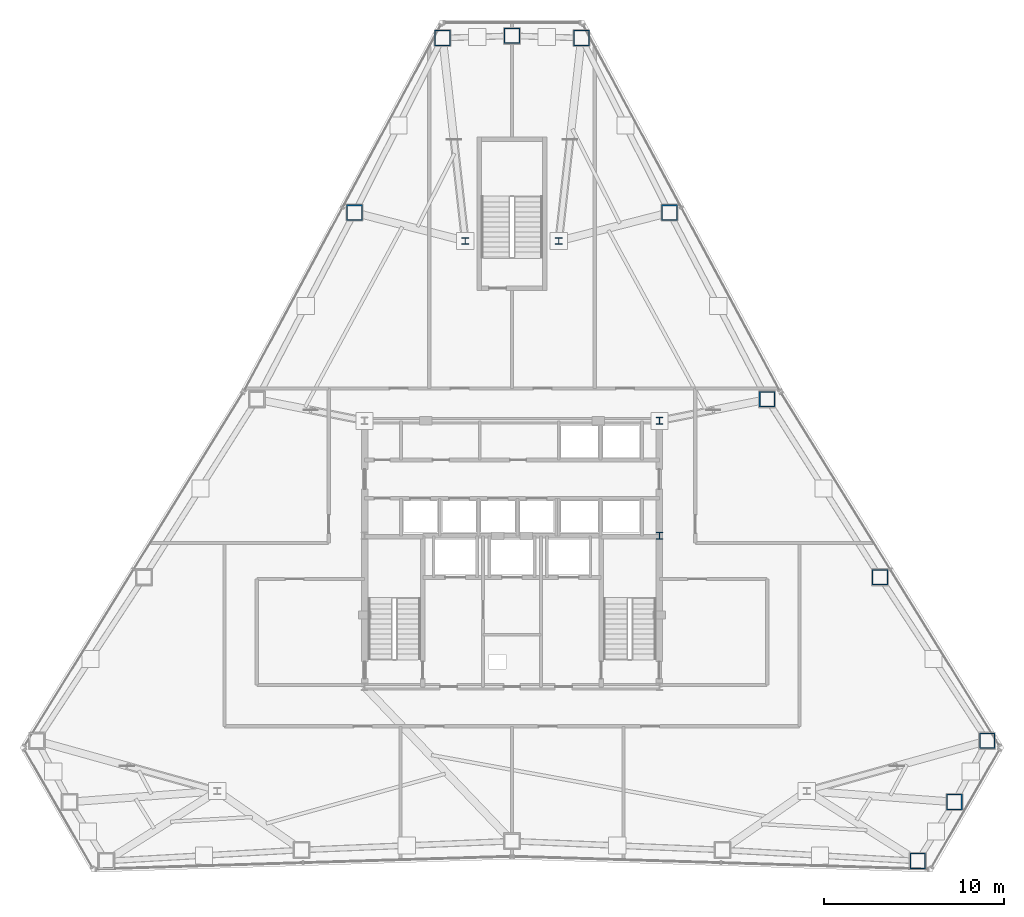
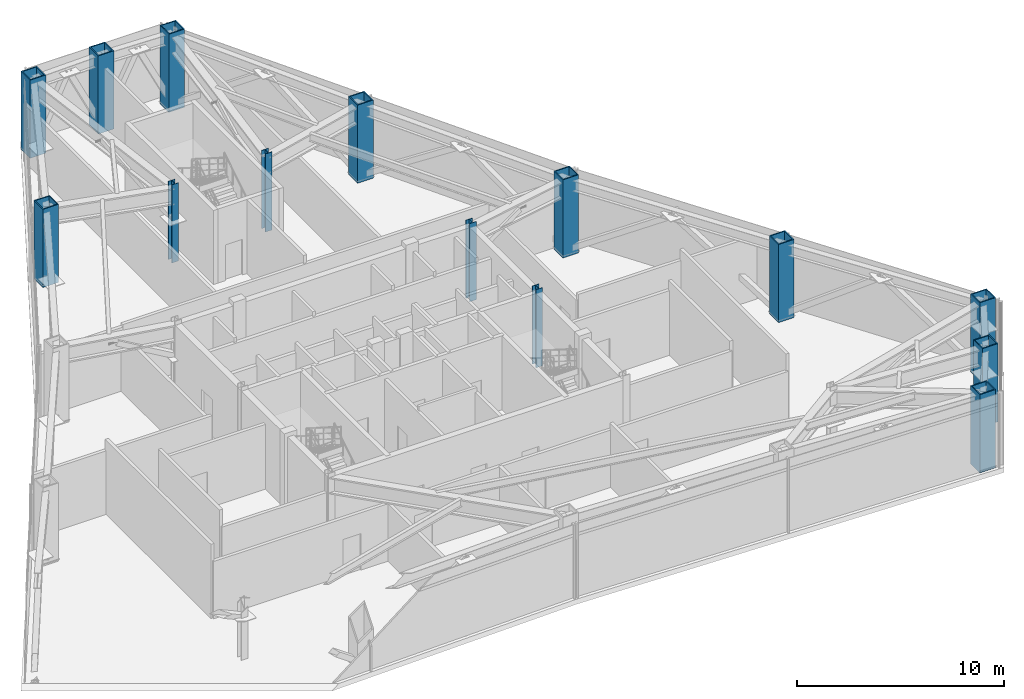
# One storey, part 2 of 12: 14 columns.
"""IFC4 building model written with IfcOpenShell, lengths in metres."""

import ifcopenshell
import ifcopenshell.guid

model = None  # the IFC model being written
_history = None  # IfcOwnerHistory: only IFC2X3 demands one
_inside = {}  # id of a spatial element -> (the spatial element, [elements in it])
_under = {}  # id of a project, library or spatial element -> (it, [spatial elements below it])
_declared = {}  # id of a project -> (the project, [libraries it declares])
_typed = {}  # id of a type object -> (the type object, [elements of that type])
_made_of = {}  # id of a material, layer set ... -> (it, [elements and type objects made of it])


def new_model(schema):
    """Start an empty IFC model of exactly this schema.

    Asked for "IFC4X3", IfcOpenShell would pick the latest addendum, in which some entities
    have other attributes; the version numbers below select the first issue.
    IFC2X3 requires an IfcOwnerHistory on every rooted entity: one is made here for all.
    """
    global model, _history
    if schema == "IFC4X3":
        model = ifcopenshell.file(schema_version=(4, 3, 0, 0))
    else:
        model = ifcopenshell.file(schema=schema)
    _inside.clear()
    _under.clear()
    _declared.clear()
    _typed.clear()
    _made_of.clear()
    _history = None
    if model.schema == "IFC2X3":
        org = make("IfcOrganization", Name="unknown")
        user = make(
            "IfcPersonAndOrganization",
            ThePerson=make("IfcPerson", FamilyName="unknown"),
            TheOrganization=org,
        )
        app = make(
            "IfcApplication",
            ApplicationDeveloper=org,
            Version="unknown",
            ApplicationFullName="unknown",
            ApplicationIdentifier="unknown",
        )
        _history = make(
            "IfcOwnerHistory",
            OwningUser=user,
            OwningApplication=app,
            ChangeAction="ADDED",
            CreationDate=0,
        )
    return model


def make(cls, **values):
    """One entity of the class cls with the attributes given. An attribute that is None is left unset."""
    return model.create_entity(
        cls, **{name: value for name, value in values.items() if value is not None}
    )


def rooted(cls, **values):
    """An entity with a GlobalId (a new one), such as an element, a storey or a relation."""
    return make(cls, GlobalId=ifcopenshell.guid.new(), OwnerHistory=_history, **values)


def si_unit(unit_type, name, prefix=None):
    """IfcSIUnit, for example si_unit("LENGTHUNIT", "METRE", prefix="MILLI")."""
    return make("IfcSIUnit", UnitType=unit_type, Prefix=prefix, Name=name)


def assignment(units):
    """IfcUnitAssignment: the units of a project."""
    return None if units is None else make("IfcUnitAssignment", Units=units)


def point(xyz):
    """IfcCartesianPoint."""
    return None if xyz is None else make("IfcCartesianPoint", Coordinates=xyz)


def direction(xyz):
    """IfcDirection."""
    return None if xyz is None else make("IfcDirection", DirectionRatios=xyz)


def frame(location, z_axis=None, x_axis=None):
    """IfcAxis2Placement3D, a coordinate frame: its origin and axes. An axis left out is left unset."""
    return make(
        "IfcAxis2Placement3D",
        Location=point(location),
        Axis=direction(z_axis),
        RefDirection=direction(x_axis),
    )


def frame_2d(location, x_axis=None):
    """IfcAxis2Placement2D, a coordinate frame in the plane: its origin and x axis."""
    return make(
        "IfcAxis2Placement2D", Location=point(location), RefDirection=direction(x_axis)
    )


def origin():
    """The frame at (0, 0, 0) with its axes left unset."""
    return frame((0.0, 0.0, 0.0))


def origin_2d():
    """The frame at (0, 0) in the plane with its x axis left unset."""
    return frame_2d((0.0, 0.0))


def place(relative_to, where):
    """IfcLocalPlacement: puts the frame where relative to a parent placement (None: the world)."""
    return make(
        "IfcLocalPlacement", PlacementRelTo=relative_to, RelativePlacement=where
    )


def context(
    kind, dimensions, precision=None, world=None, true_north=None, identifier=None
):
    """IfcGeometricRepresentationContext, for example the 3D "Model" context."""
    return make(
        "IfcGeometricRepresentationContext",
        ContextIdentifier=identifier,
        ContextType=kind,
        CoordinateSpaceDimension=dimensions,
        Precision=precision,
        WorldCoordinateSystem=world,
        TrueNorth=true_north,
    )


def subcontext(parent, identifier, kind, view, scale=None):
    """IfcGeometricRepresentationSubContext, for example "Body" below "Model"."""
    return make(
        "IfcGeometricRepresentationSubContext",
        ContextIdentifier=identifier,
        ContextType=kind,
        ParentContext=parent,
        TargetScale=scale,
        TargetView=view,
    )


def project(units=None, contexts=None):
    """IfcProject with its units and contexts."""
    return rooted(
        "IfcProject",
        Name="project",
        RepresentationContexts=contexts,
        UnitsInContext=assignment(units),
    )


def spatial(cls, under=None, at=None, **own):
    """A site, building, storey or space (cls), placed at a placement, below another one or the project."""
    s = rooted(cls, ObjectPlacement=at, **own)
    if under is not None:
        _under.setdefault(under.id(), (under, []))[1].append(s)
    return s


def profile(cls, at=None, kind="AREA", **sizes):
    """A parametric profile (cls). Its sizes go by their IFC names, for example OverallWidth=200.0."""
    return make(cls, ProfileType=kind, Position=at, **sizes)


def hollow_rectangle(**sizes):
    """IfcRectangleHollowProfileDef."""
    return profile("IfcRectangleHollowProfileDef", **sizes)


def i_section(**sizes):
    """IfcIShapeProfileDef."""
    return profile("IfcIShapeProfileDef", **sizes)


def extrude(swept, where, along, depth):
    """IfcExtrudedAreaSolid: the profile swept, set in the frame where, extruded along a direction by depth."""
    return make(
        "IfcExtrudedAreaSolid",
        SweptArea=swept,
        Position=where,
        ExtrudedDirection=direction(along),
        Depth=depth,
    )


def shape(context_of_items, identifier, shape_type, items):
    """IfcShapeRepresentation: the items that make up one representation, for example the "Body"."""
    return make(
        "IfcShapeRepresentation",
        ContextOfItems=context_of_items,
        RepresentationIdentifier=identifier,
        RepresentationType=shape_type,
        Items=items,
    )


def material(Name=None, Category=None):
    """IfcMaterial."""
    return make("IfcMaterial", Name=Name, Category=Category)


def material_profile(
    of_material, cross_section, Name=None, Category=None, Priority=None
):
    """IfcMaterialProfile: a cross section and its material."""
    return make(
        "IfcMaterialProfile",
        Name=Name,
        Material=of_material,
        Profile=cross_section,
        Priority=Priority,
        Category=Category,
    )


def profile_set(profiles, Name=None, composite=None):
    """IfcMaterialProfileSet."""
    return make(
        "IfcMaterialProfileSet",
        Name=Name,
        MaterialProfiles=profiles,
        CompositeProfile=composite,
    )


def made_of(thing, what):
    """Note that an element or type object is made of a material, layer set ...; save() writes the relation."""
    if what is not None:
        _made_of.setdefault(what.id(), (what, []))[1].append(thing)
    return thing


def type_object(cls, material=None, **own):
    """A type object (cls), such as IfcWallType, which elements share."""
    return made_of(rooted(cls, **own), material)


def element(
    cls,
    number,
    at=None,
    inside=None,
    cuts=None,
    type_object=None,
    material=None,
    context=None,
    identifier="Body",
    shape_type=None,
    held_by="IfcProductDefinitionShape",
    body=None,
    shapes=None,
    **own,
):
    """One element of the class cls, such as IfcWall. Its Tag is "e" and its number.

    at: its placement. inside: the storey or other place that contains it. cuts: it is an
    opening in that element (IfcRelVoidsElement). A single representation is given by context,
    identifier, shape_type and body (its items); several are given by shapes. held_by: the class
    of the entity that holds the representations. save() writes the other relations.
    """
    e = rooted(cls, Tag="e%d" % number, ObjectPlacement=at, **own)
    if body is not None:
        shapes = [shape(context, identifier, shape_type, body)]
    if shapes is not None:
        e.Representation = make(held_by, Representations=shapes)
    if inside is not None:
        _inside.setdefault(inside.id(), (inside, []))[1].append(e)
    if cuts is not None:
        rooted(
            "IfcRelVoidsElement", RelatingBuildingElement=cuts, RelatedOpeningElement=e
        )
    if type_object is not None:
        _typed.setdefault(type_object.id(), (type_object, []))[1].append(e)
    return made_of(e, material)


def aggregate(whole, parts):
    """IfcRelAggregates: a whole, such as a stair, and the parts it consists of."""
    return rooted("IfcRelAggregates", RelatingObject=whole, RelatedObjects=parts)


def save(model, path):
    """Write the relations noted so far, then the file.

    IfcRelAggregates (storeys below a building ...), IfcRelContainedInSpatialStructure (elements
    in a storey), IfcRelDefinesByType, IfcRelAssociatesMaterial and IfcRelDeclares: one each for
    every whole, place, type object, material and project.
    """
    for whole, parts in _under.values():
        aggregate(whole, parts)
    for where, things in _inside.values():
        rooted(
            "IfcRelContainedInSpatialStructure",
            RelatedElements=things,
            RelatingStructure=where,
        )
    for kind, things in _typed.values():
        rooted("IfcRelDefinesByType", RelatedObjects=things, RelatingType=kind)
    for what, things in _made_of.values():
        rooted("IfcRelAssociatesMaterial", RelatedObjects=things, RelatingMaterial=what)
    for by, libraries in _declared.values():
        rooted("IfcRelDeclares", RelatingContext=by, RelatedDefinitions=libraries)
    model.write(path)


model = new_model("IFC4")

# Units and contexts
model_context = context("Model", 3, precision=1e-05, world=origin(), true_north=direction((0.0, 1.0)))
body_context = subcontext(model_context, "Body", "Model", "MODEL_VIEW")
ifc_project = project(units=[si_unit("LENGTHUNIT", "METRE"), si_unit("AREAUNIT", "SQUARE_METRE"), si_unit("VOLUMEUNIT", "CUBIC_METRE"), si_unit("PLANEANGLEUNIT", "RADIAN"), si_unit("MASSUNIT", "GRAM", prefix="KILO")], contexts=[model_context])

# Site, building, storey
site_placement = place(None, origin())
site = spatial("IfcSite", under=ifc_project, at=site_placement, CompositionType="ELEMENT")
building_placement = place(site_placement, origin())
building = spatial("IfcBuilding", under=site, at=building_placement, Name="Varakhsha Concourse Tower", CompositionType="ELEMENT")
storey_placement = place(building_placement, frame((0.0, 0.0, 157.39990234375)))
storey = spatial("IfcBuildingStorey", under=building, at=storey_placement, Name="L45", CompositionType="ELEMENT", Elevation=157.39990234375)

# Columns
ifc_material_1 = material(Name="Structural Steel ASTM A992 Grade 50", Category="steel")
ifc_material_profile_1 = material_profile(ifc_material_1, i_section(OverallWidth=0.3740234375, OverallDepth=0.3720703125, WebThickness=0.01611328125, FlangeThickness=0.02587890625, at=origin_2d()), Name="W14X132")
ifc_profile_set_1 = profile_set([ifc_material_profile_1], Name="Structural Steel ASTM A992 Grade 50")
column_type_1 = type_object("IfcColumnType", Name="CL-CORE-W14X132", PredefinedType="COLUMN", material=ifc_profile_set_1)
for number, where, z_axis, x_axis, name in (
    (1, (48.199951171875, 24.800048828125, 0.0), (0.0, 0.0, 1.0), (1.0, 0.0, 0.0), "L45 Core Column CC-ME"),
    (2, (48.199951171875, 31.199951171875, 0.0), (0.0, 0.0, 1.0), (1.0, 0.0, 0.0), "L45 Core Column CC-NE"),
    (3, (37.39990234375, 41.199951171875, 0.0), (0.0, 0.0, 1.0), (1.0, 0.0, 0.0), "L45 Core Column NS-W"),
    (4, (42.60009765625, 41.199951171875, 0.0), (0.0, 0.0, 1.0), (1.0, 0.0, 0.0), "L45 Core Column NS-E"),
):
    element("IfcColumn", number, at=place(storey_placement, frame(where, z_axis=z_axis, x_axis=x_axis)), inside=storey, type_object=column_type_1, Name=name, PredefinedType="COLUMN", context=body_context, shape_type="SweptSolid", body=[
        extrude(i_section(OverallWidth=0.3740234375, OverallDepth=0.3720703125, WebThickness=0.01611328125, FlangeThickness=0.02587890625, at=origin_2d()), origin(), (0.0, 0.0, 1.0), 4.60009765625),
    ])
ifc_material_2 = material(Name="Structural Steel ASTM A572 Grade 50", Category="steel")
ifc_material_profile_2 = material_profile(ifc_material_2, hollow_rectangle(XDim=0.8798828125, YDim=0.8798828125, WallThickness=0.06005859375, at=origin_2d()), Name="BOX 880x880x60")
ifc_profile_set_2 = profile_set([ifc_material_profile_2], Name="Structural Steel ASTM A572 Grade 50")
column_type_2 = type_object("IfcColumnType", Name="CL-TUBE-880", PredefinedType="COLUMN", material=ifc_profile_set_2)
for number, where, z_axis, x_axis, name in (
    (5, (43.863037109375, 52.495849609375, 0.0), (0.0, 0.0, 1.0), (1.0, 0.0, 0.0), "L45 Framed-Tube Column TC01"),
    (6, (40.0, 52.618408203125, 0.0), (0.0, 0.0, 1.0), (1.0, 0.0, 0.0), "L45 Framed-Tube Column TC02"),
    (7, (36.136962890625, 52.495849609375, 0.0), (0.0, 0.0, 1.0), (1.0, 0.0, 0.0), "L45 Framed-Tube Column TC03"),
    (8, (31.240966796875, 42.78271484375, 0.0), (0.0, 0.0, 1.0), (1.0, 0.0, 0.0), "L45 Framed-Tube Column TC04"),
    (9, (62.5732421875, 6.70654296875, 0.0), (0.0, 0.0, 1.0), (1.0, 0.0, 0.0), "L45 Framed-Tube Column TC13"),
    (10, (64.611083984375, 9.99072265625, 0.0), (0.0, 0.0, 1.0), (1.0, 0.0, 0.0), "L45 Framed-Tube Column TC14"),
    (11, (66.436279296875, 13.397705078125, 0.0), (0.0, 0.0, 1.0), (1.0, 0.0, 0.0), "L45 Framed-Tube Column TC15"),
    (12, (60.47265625, 22.494384765625, 0.0), (0.0, 0.0, 1.0), (1.0, 0.0, 0.0), "L45 Framed-Tube Column TC16"),
    (13, (54.192138671875, 32.393798828125, 0.0), (0.0, 0.0, 1.0), (1.0, 0.0, 0.0), "L45 Framed-Tube Column TC17"),
    (14, (48.759033203125, 42.78271484375, 0.0), (0.0, 0.0, 1.0), (1.0, 0.0, 0.0), "L45 Framed-Tube Column TC18"),
):
    element("IfcColumn", number, at=place(storey_placement, frame(where, z_axis=z_axis, x_axis=x_axis)), inside=storey, type_object=column_type_2, Name=name, PredefinedType="COLUMN", context=body_context, shape_type="SweptSolid", body=[
        extrude(hollow_rectangle(XDim=0.8798828125, YDim=0.8798828125, WallThickness=0.06005859375, at=origin_2d()), origin(), (0.0, 0.0, 1.0), 4.60009765625),
    ])

save(model, "model.ifc")
